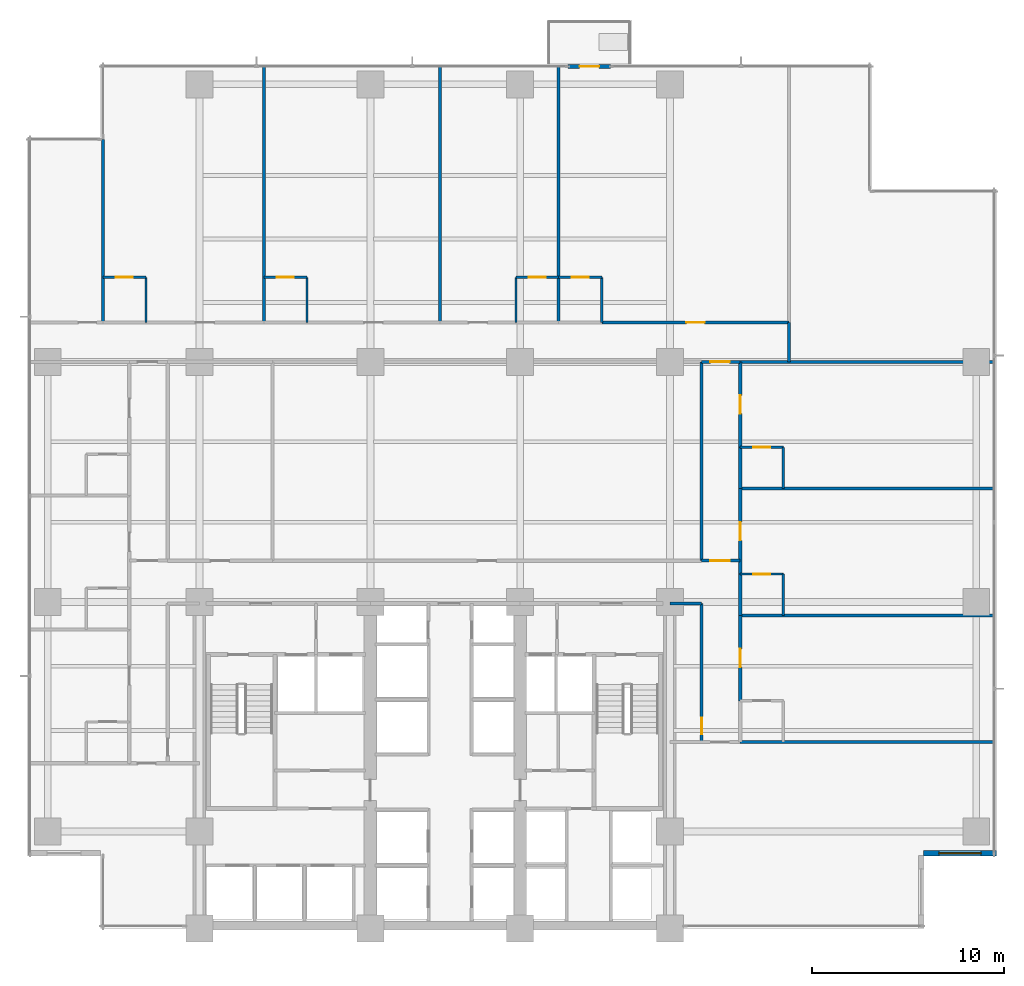
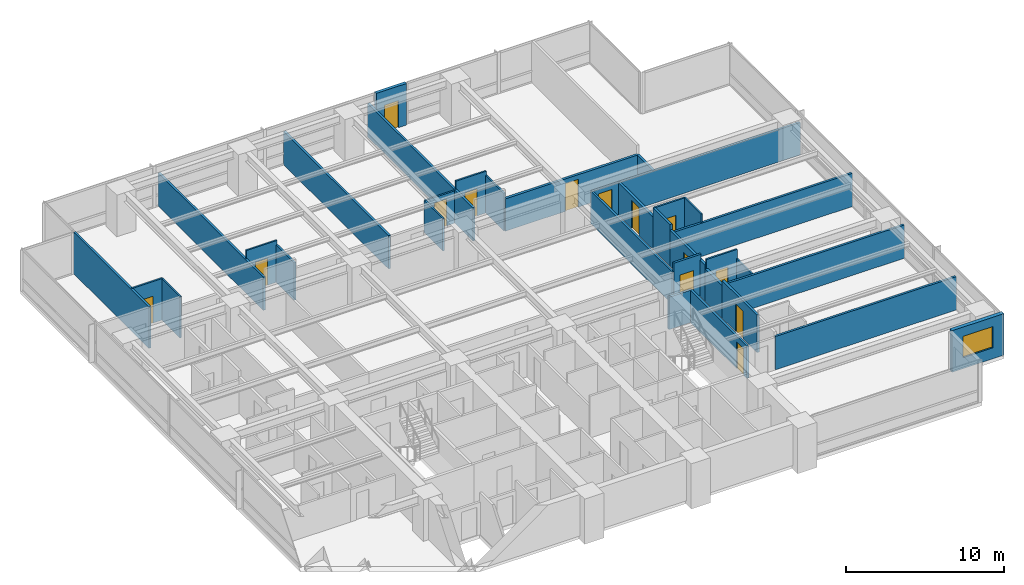
# One storey, part 10 of 16: 34 walls, 14 doors, 1 window, 15 openings.
"""IFC4 building model written with IfcOpenShell, lengths in metres."""

from ifc_helpers import new_model, si_unit, direction, frame, frame_2d, origin, place, context, subcontext, project, spatial, rectangle, extrude, material, layer, layer_set, type_object, element, fill, save


model = new_model("IFC4")

# Units and contexts
model_context = context("Model", 3, precision=1e-05, world=origin(), true_north=direction((0.0, 1.0)))
body_context = subcontext(model_context, "Body", "Model", "MODEL_VIEW")
ifc_project = project(units=[si_unit("LENGTHUNIT", "METRE"), si_unit("AREAUNIT", "SQUARE_METRE"), si_unit("VOLUMEUNIT", "CUBIC_METRE"), si_unit("PLANEANGLEUNIT", "RADIAN"), si_unit("MASSUNIT", "GRAM", prefix="KILO")], contexts=[model_context])

# Site, building, storey
site_placement = place(None, origin())
site = spatial("IfcSite", under=ifc_project, at=site_placement, CompositionType="ELEMENT")
building_placement = place(site_placement, origin())
building = spatial("IfcBuilding", under=site, at=building_placement, Name="Qalmaran Belvedere Hotel", CompositionType="ELEMENT")
storey_placement = place(building_placement, frame((0.0, 0.0, 64.89990234375)))
storey = spatial("IfcBuildingStorey", under=building, at=storey_placement, Name="L16", CompositionType="ELEMENT", Elevation=64.89990234375)

# Wall, opening, door
ifc_material_1 = material(Name="Anodised Bronze Cladding")
ifc_layer_1 = layer(ifc_material_1, 0.22509765625, Name="Anodised Bronze Cladding")
ifc_layer_set_1 = layer_set([ifc_layer_1], Name="Anodised Bronze Cladding")
wall_type_1 = type_object("IfcWallType", Name="WL-BAL-PORT-225", PredefinedType="SOLIDWALL", material=ifc_layer_set_1)
wall_1_placement = place(storey_placement, frame((39.5, 48.3798828125, 0.0), z_axis=(0.0, 0.0, 1.0), x_axis=(1.0, 0.0, 0.0)))
wall_1 = element("IfcWall", 1, at=wall_1_placement, inside=storey, type_object=wall_type_1, Name="L16 Tree Balcony Door Portal", PredefinedType="SOLIDWALL", context=body_context, shape_type="SweptSolid", body=[
    extrude(rectangle(XDim=2.199951171875, YDim=0.22509765625, at=frame_2d((1.10009765625, 0.0))), origin(), (0.0, 0.0, 1.0), 3.22021484375),
])
opening_1_placement = place(wall_1_placement, frame((0.590087890625, 0.0, 0.0)))
opening_1 = element("IfcOpeningElement", 2, at=opening_1_placement, cuts=wall_1, Name="Opening BL-102", PredefinedType="OPENING", context=body_context, shape_type="SweptSolid", body=[
    extrude(rectangle(XDim=1.02001953125, YDim=2.10009765625, at=frame_2d((0.510009765625, 1.050048828125))), frame((0.0, 0.12255859375, 0.0), z_axis=(0.0, -1.0, 0.0), x_axis=(1.0, 0.0, 0.0)), (0.0, 0.0, 1.0), 0.2451171875),
])
ifc_material_2 = material(Name="Anodised Bronze Aluminium", Category="aluminium")
door_type_1 = type_object("IfcDoorType", Name="DR-BAL-1020X2100", OperationType="NOTDEFINED", PredefinedType="DOOR", material=ifc_material_2)
door_1_placement = place(opening_1_placement, origin())
door_1 = element("IfcDoor", 3, at=door_1_placement, inside=storey, type_object=door_type_1, Name="L16 Planted Tree Balcony Door", OperationType="SINGLE_SWING_LEFT", OverallHeight=2.10009765625, OverallWidth=1.02001953125, PredefinedType="DOOR", context=body_context, shape_type="SweptSolid", body=[
    extrude(rectangle(XDim=1.02001953125, YDim=2.10009765625, at=frame_2d((0.510009765625, 1.050048828125))), frame((0.0, 0.02490234375, 0.0), z_axis=(0.0, -1.0, 0.0), x_axis=(1.0, 0.0, 0.0)), (0.0, 0.0, 1.0), 0.050048828125),
])
fill(opening_1, door_1)

# Wall, opening, window
ifc_layer_2 = layer(ifc_material_1, 0.280029296875, Name="Anodised Bronze Cladding")
ifc_layer_set_2 = layer_set([ifc_layer_2], Name="Anodised Bronze Cladding")
wall_type_2 = type_object("IfcWallType", Name="WL-EXT-BRNZ-280", PredefinedType="SOLIDWALL", material=ifc_layer_set_2)
wall_2_placement = place(storey_placement, frame((58.0, 7.419921875, 0.0), z_axis=(0.0, 0.0, 1.0), x_axis=(1.0, 0.0, 0.0)))
wall_2 = element("IfcWall", 4, at=wall_2_placement, inside=storey, type_object=wall_type_2, Name="L16 Corner Notch Wall 2", PredefinedType="SOLIDWALL", context=body_context, shape_type="SweptSolid", body=[
    extrude(rectangle(XDim=3.800048828125, YDim=0.280029296875, at=frame_2d((1.89990234375, 0.0))), origin(), (0.0, 0.0, 1.0), 3.22021484375),
])
opening_2_placement = place(wall_2_placement, frame((0.800048828125, 0.0, 0.85009765625)))
opening_2 = element("IfcOpeningElement", 5, at=opening_2_placement, cuts=wall_2, Name="Opening W-N22", PredefinedType="OPENING", context=body_context, shape_type="SweptSolid", body=[
    extrude(rectangle(XDim=2.199951171875, YDim=1.64990234375, at=frame_2d((1.10009765625, 0.824951171875))), frame((0.0, 0.14990234375, 0.0), z_axis=(0.0, -1.0, 0.0), x_axis=(1.0, 0.0, 0.0)), (0.0, 0.0, 1.0), 0.300048828125),
])
ifc_material_3 = material(Name="Solar-Control Double Glazing", Category="glass")
window_type = type_object("IfcWindowType", Name="WN-NTC-2200X1650", PartitioningType="SINGLE_PANEL", PredefinedType="WINDOW", material=ifc_material_3)
window_placement = place(opening_2_placement, origin())
window = element("IfcWindow", 6, at=window_placement, inside=storey, type_object=window_type, Name="L16 Corner Notch Window 2", OverallHeight=1.64990234375, OverallWidth=2.199951171875, PartitioningType="SINGLE_PANEL", PredefinedType="WINDOW", context=body_context, shape_type="SweptSolid", body=[
    extrude(rectangle(XDim=2.199951171875, YDim=1.64990234375, at=frame_2d((1.10009765625, 0.824951171875))), frame((0.0, 0.030029296875, 0.0), z_axis=(0.0, -1.0, 0.0), x_axis=(1.0, 0.0, 0.0)), (0.0, 0.0, 1.0), 0.06005859375),
])
fill(opening_2, window)

# Wall, opening, door
ifc_material_4 = material(Name="Moisture-Resistant Gypsum")
ifc_layer_3 = layer(ifc_material_4, 0.1201171875, Name="Moisture-Resistant Gypsum")
ifc_layer_set_3 = layer_set([ifc_layer_3], Name="Moisture-Resistant Gypsum")
wall_type_3 = type_object("IfcWallType", Name="WL-INT-120-BATH", PredefinedType="PARTITIONING", material=ifc_layer_set_3)
wall_3_placement = place(storey_placement, frame((15.27001953125, 37.39990234375, 0.0), z_axis=(0.0, 0.0, 1.0), x_axis=(1.0, 0.0, 0.0)))
wall_3 = element("IfcWall", 7, at=wall_3_placement, inside=storey, type_object=wall_type_3, Name="L16 Partition WL-L16-NBN00", PredefinedType="PARTITIONING", context=body_context, shape_type="SweptSolid", body=[
    extrude(rectangle(XDim=2.25, YDim=0.1201171875, at=frame_2d((1.125, 0.0))), origin(), (0.0, 0.0, 1.0), 3.22021484375),
])
opening_3_placement = place(wall_3_placement, frame((1.56494140625, 0.0, 0.0), z_axis=(0.0, 0.0, 1.0), x_axis=(-1.0, 0.0, 0.0)))
opening_3 = element("IfcOpeningElement", 8, at=opening_3_placement, cuts=wall_3, Name="Opening D-BATH", PredefinedType="OPENING", context=body_context, shape_type="SweptSolid", body=[
    extrude(rectangle(XDim=0.8798828125, YDim=2.080078125, at=frame_2d((0.43994140625, 1.0400390625))), frame((0.0, 0.070068359375, 0.0), z_axis=(0.0, -1.0, 0.0), x_axis=(1.0, 0.0, 0.0)), (0.0, 0.0, 1.0), 0.14013671875),
])
ifc_material_5 = material(Name="Engineered Oak Veneer")
door_type_2 = type_object("IfcDoorType", Name="DR-INT-BATH-880X2080", OperationType="NOTDEFINED", PredefinedType="DOOR", material=ifc_material_5)
door_2_placement = place(opening_3_placement, origin())
door_2 = element("IfcDoor", 9, at=door_2_placement, inside=storey, type_object=door_type_2, Name="L16 Ensuite Bathroom Door N01", OperationType="SINGLE_SWING_RIGHT", OverallHeight=2.080078125, OverallWidth=0.8798828125, PredefinedType="DOOR", context=body_context, shape_type="SweptSolid", body=[
    extrude(rectangle(XDim=0.8798828125, YDim=2.080078125, at=frame_2d((0.43994140625, 1.0400390625))), frame((0.0, 0.02490234375, 0.0), z_axis=(0.0, -1.0, 0.0), x_axis=(1.0, 0.0, 0.0)), (0.0, 0.0, 1.0), 0.050048828125),
])
fill(opening_3, door_2)

# Wall
wall_4_placement = place(storey_placement, frame((17.52001953125, 35.050048828125, 0.0), z_axis=(0.0, 0.0, 1.0), x_axis=(0.0, 1.0, 0.0)))
element("IfcWall", 10, at=wall_4_placement, inside=storey, type_object=wall_type_3, Name="L16 Partition WL-L16-NBS00", PredefinedType="PARTITIONING", context=body_context, shape_type="SweptSolid", body=[
    extrude(rectangle(XDim=2.349853515625, YDim=0.1201171875, at=frame_2d((1.1748046875, 0.0))), origin(), (0.0, 0.0, 1.0), 3.22021484375),
])

# Wall, opening, door
wall_5_placement = place(storey_placement, frame((23.651123046875, 37.39990234375, 0.0), z_axis=(0.0, 0.0, 1.0), x_axis=(1.0, 0.0, 0.0)))
wall_5 = element("IfcWall", 11, at=wall_5_placement, inside=storey, type_object=wall_type_3, Name="L16 Partition WL-L16-NBN01", PredefinedType="PARTITIONING", context=body_context, shape_type="SweptSolid", body=[
    extrude(rectangle(XDim=2.25, YDim=0.1201171875, at=frame_2d((1.125, 0.0))), origin(), (0.0, 0.0, 1.0), 3.22021484375),
])
opening_4_placement = place(wall_5_placement, frame((1.56494140625, 0.0, 0.0), z_axis=(0.0, 0.0, 1.0), x_axis=(-1.0, 0.0, 0.0)))
opening_4 = element("IfcOpeningElement", 12, at=opening_4_placement, cuts=wall_5, Name="Opening D-BATH", PredefinedType="OPENING", context=body_context, shape_type="SweptSolid", body=[
    extrude(rectangle(XDim=0.8798828125, YDim=2.080078125, at=frame_2d((0.43994140625, 1.0400390625))), frame((0.0, 0.070068359375, 0.0), z_axis=(0.0, -1.0, 0.0), x_axis=(1.0, 0.0, 0.0)), (0.0, 0.0, 1.0), 0.14013671875),
])
door_3_placement = place(opening_4_placement, origin())
door_3 = element("IfcDoor", 13, at=door_3_placement, inside=storey, type_object=door_type_2, Name="L16 Ensuite Bathroom Door N02", OperationType="SINGLE_SWING_RIGHT", OverallHeight=2.080078125, OverallWidth=0.8798828125, PredefinedType="DOOR", context=body_context, shape_type="SweptSolid", body=[
    extrude(rectangle(XDim=0.8798828125, YDim=2.080078125, at=frame_2d((0.43994140625, 1.0400390625))), frame((0.0, 0.02490234375, 0.0), z_axis=(0.0, -1.0, 0.0), x_axis=(1.0, 0.0, 0.0)), (0.0, 0.0, 1.0), 0.050048828125),
])
fill(opening_4, door_3)

# Wall
wall_6_placement = place(storey_placement, frame((25.901123046875, 35.050048828125, 0.0), z_axis=(0.0, 0.0, 1.0), x_axis=(0.0, 1.0, 0.0)))
element("IfcWall", 14, at=wall_6_placement, inside=storey, type_object=wall_type_3, Name="L16 Partition WL-L16-NBS01", PredefinedType="PARTITIONING", context=body_context, shape_type="SweptSolid", body=[
    extrude(rectangle(XDim=2.349853515625, YDim=0.1201171875, at=frame_2d((1.1748046875, 0.0))), origin(), (0.0, 0.0, 1.0), 2.902099609375),
])

# Wall, opening, door
wall_7_placement = place(storey_placement, frame((36.780029296875, 37.39990234375, 0.0), z_axis=(0.0, 0.0, 1.0), x_axis=(1.0, 0.0, 0.0)))
wall_7 = element("IfcWall", 15, at=wall_7_placement, inside=storey, type_object=wall_type_3, Name="L16 Partition WL-L16-NBN02", PredefinedType="PARTITIONING", context=body_context, shape_type="SweptSolid", body=[
    extrude(rectangle(XDim=2.219970703125, YDim=0.1201171875, at=frame_2d((1.10986328125, 0.0))), origin(), (0.0, 0.0, 1.0), 2.510009765625),
])
opening_5_placement = place(wall_7_placement, frame((1.5498046875, 0.0, 0.0), z_axis=(0.0, 0.0, 1.0), x_axis=(-1.0, 0.0, 0.0)))
opening_5 = element("IfcOpeningElement", 16, at=opening_5_placement, cuts=wall_7, Name="Opening D-BATH", PredefinedType="OPENING", context=body_context, shape_type="SweptSolid", body=[
    extrude(rectangle(XDim=0.8798828125, YDim=2.080078125, at=frame_2d((0.43994140625, 1.0400390625))), frame((0.0, 0.070068359375, 0.0), z_axis=(0.0, -1.0, 0.0), x_axis=(1.0, 0.0, 0.0)), (0.0, 0.0, 1.0), 0.14013671875),
])
door_4_placement = place(opening_5_placement, origin())
door_4 = element("IfcDoor", 17, at=door_4_placement, inside=storey, type_object=door_type_2, Name="L16 Ensuite Bathroom Door N03", OperationType="SINGLE_SWING_RIGHT", OverallHeight=2.080078125, OverallWidth=0.8798828125, PredefinedType="DOOR", context=body_context, shape_type="SweptSolid", body=[
    extrude(rectangle(XDim=0.8798828125, YDim=2.080078125, at=frame_2d((0.43994140625, 1.0400390625))), frame((0.0, 0.02490234375, 0.0), z_axis=(0.0, -1.0, 0.0), x_axis=(1.0, 0.0, 0.0)), (0.0, 0.0, 1.0), 0.050048828125),
])
fill(opening_5, door_4)

# Wall
wall_8_placement = place(storey_placement, frame((36.780029296875, 35.050048828125, 0.0), z_axis=(0.0, 0.0, 1.0), x_axis=(0.0, 1.0, 0.0)))
element("IfcWall", 18, at=wall_8_placement, inside=storey, type_object=wall_type_3, Name="L16 Partition WL-L16-NBS02", PredefinedType="PARTITIONING", context=body_context, shape_type="SweptSolid", body=[
    extrude(rectangle(XDim=2.349853515625, YDim=0.1201171875, at=frame_2d((1.1748046875, 0.0))), origin(), (0.0, 0.0, 1.0), 2.510009765625),
])

# Wall, opening, door
wall_9_placement = place(storey_placement, frame((39.0, 37.39990234375, 0.0), z_axis=(0.0, 0.0, 1.0), x_axis=(1.0, 0.0, 0.0)))
wall_9 = element("IfcWall", 19, at=wall_9_placement, inside=storey, type_object=wall_type_3, Name="L16 Partition WL-L16-NBN03", PredefinedType="PARTITIONING", context=body_context, shape_type="SweptSolid", body=[
    extrude(rectangle(XDim=2.25, YDim=0.1201171875, at=frame_2d((1.125, 0.0))), origin(), (0.0, 0.0, 1.0), 3.22021484375),
])
opening_6_placement = place(wall_9_placement, frame((1.56494140625, 0.0, 0.0), z_axis=(0.0, 0.0, 1.0), x_axis=(-1.0, 0.0, 0.0)))
opening_6 = element("IfcOpeningElement", 20, at=opening_6_placement, cuts=wall_9, Name="Opening D-BATH", PredefinedType="OPENING", context=body_context, shape_type="SweptSolid", body=[
    extrude(rectangle(XDim=0.8798828125, YDim=2.080078125, at=frame_2d((0.43994140625, 1.0400390625))), frame((0.0, 0.070068359375, 0.0), z_axis=(0.0, -1.0, 0.0), x_axis=(1.0, 0.0, 0.0)), (0.0, 0.0, 1.0), 0.14013671875),
])
door_5_placement = place(opening_6_placement, origin())
door_5 = element("IfcDoor", 21, at=door_5_placement, inside=storey, type_object=door_type_2, Name="L16 Ensuite Bathroom Door N04", OperationType="SINGLE_SWING_RIGHT", OverallHeight=2.080078125, OverallWidth=0.8798828125, PredefinedType="DOOR", context=body_context, shape_type="SweptSolid", body=[
    extrude(rectangle(XDim=0.8798828125, YDim=2.080078125, at=frame_2d((0.43994140625, 1.0400390625))), frame((0.0, 0.02490234375, 0.0), z_axis=(0.0, -1.0, 0.0), x_axis=(1.0, 0.0, 0.0)), (0.0, 0.0, 1.0), 0.050048828125),
])
fill(opening_6, door_5)

# Wall
wall_10_placement = place(storey_placement, frame((41.25, 35.050048828125, 0.0), z_axis=(0.0, 0.0, 1.0), x_axis=(0.0, 1.0, 0.0)))
element("IfcWall", 22, at=wall_10_placement, inside=storey, type_object=wall_type_3, Name="L16 Partition WL-L16-NBS03", PredefinedType="PARTITIONING", context=body_context, shape_type="SweptSolid", body=[
    extrude(rectangle(XDim=2.349853515625, YDim=0.1201171875, at=frame_2d((1.1748046875, 0.0))), origin(), (0.0, 0.0, 1.0), 2.902099609375),
])

# Wall, opening, door
wall_11_placement = place(storey_placement, frame((48.449951171875, 21.949951171875, 0.0), z_axis=(0.0, 0.0, 1.0), x_axis=(1.0, 0.0, 0.0)))
wall_11 = element("IfcWall", 23, at=wall_11_placement, inside=storey, type_object=wall_type_3, Name="L16 Partition WL-L16-EBN01", PredefinedType="PARTITIONING", context=body_context, shape_type="SweptSolid", body=[
    extrude(rectangle(XDim=2.25, YDim=0.1201171875, at=frame_2d((1.125, 0.0))), origin(), (0.0, 0.0, 1.0), 3.22021484375),
])
opening_7_placement = place(wall_11_placement, frame((1.56494140625, 0.0, 0.0), z_axis=(0.0, 0.0, 1.0), x_axis=(-1.0, 0.0, 0.0)))
opening_7 = element("IfcOpeningElement", 24, at=opening_7_placement, cuts=wall_11, Name="Opening D-BATH", PredefinedType="OPENING", context=body_context, shape_type="SweptSolid", body=[
    extrude(rectangle(XDim=0.8798828125, YDim=2.080078125, at=frame_2d((0.43994140625, 1.0400390625))), frame((0.0, 0.070068359375, 0.0), z_axis=(0.0, -1.0, 0.0), x_axis=(1.0, 0.0, 0.0)), (0.0, 0.0, 1.0), 0.14013671875),
])
door_6_placement = place(opening_7_placement, origin())
door_6 = element("IfcDoor", 25, at=door_6_placement, inside=storey, type_object=door_type_2, Name="L16 E Ensuite Door 02", OperationType="SINGLE_SWING_RIGHT", OverallHeight=2.080078125, OverallWidth=0.8798828125, PredefinedType="DOOR", context=body_context, shape_type="SweptSolid", body=[
    extrude(rectangle(XDim=0.8798828125, YDim=2.080078125, at=frame_2d((0.43994140625, 1.0400390625))), frame((0.0, 0.02490234375, 0.0), z_axis=(0.0, -1.0, 0.0), x_axis=(1.0, 0.0, 0.0)), (0.0, 0.0, 1.0), 0.050048828125),
])
fill(opening_7, door_6)

# Wall
wall_12_placement = place(storey_placement, frame((50.699951171875, 19.800048828125, 0.0), z_axis=(0.0, 0.0, 1.0), x_axis=(0.0, 1.0, 0.0)))
element("IfcWall", 26, at=wall_12_placement, inside=storey, type_object=wall_type_3, Name="L16 Partition WL-L16-EBS01", PredefinedType="PARTITIONING", context=body_context, shape_type="SweptSolid", body=[
    extrude(rectangle(XDim=2.14990234375, YDim=0.1201171875, at=frame_2d((1.074951171875, 0.0))), origin(), (0.0, 0.0, 1.0), 2.510009765625),
])

# Wall, opening, door
wall_13_placement = place(storey_placement, frame((48.449951171875, 28.550048828125, 0.0), z_axis=(0.0, 0.0, 1.0), x_axis=(1.0, 0.0, 0.0)))
wall_13 = element("IfcWall", 27, at=wall_13_placement, inside=storey, type_object=wall_type_3, Name="L16 Partition WL-L16-EBN02", PredefinedType="PARTITIONING", context=body_context, shape_type="SweptSolid", body=[
    extrude(rectangle(XDim=2.25, YDim=0.1201171875, at=frame_2d((1.125, 0.0))), origin(), (0.0, 0.0, 1.0), 3.22021484375),
])
opening_8_placement = place(wall_13_placement, frame((1.56494140625, 0.0, 0.0), z_axis=(0.0, 0.0, 1.0), x_axis=(-1.0, 0.0, 0.0)))
opening_8 = element("IfcOpeningElement", 28, at=opening_8_placement, cuts=wall_13, Name="Opening D-BATH", PredefinedType="OPENING", context=body_context, shape_type="SweptSolid", body=[
    extrude(rectangle(XDim=0.8798828125, YDim=2.080078125, at=frame_2d((0.43994140625, 1.0400390625))), frame((0.0, 0.070068359375, 0.0), z_axis=(0.0, -1.0, 0.0), x_axis=(1.0, 0.0, 0.0)), (0.0, 0.0, 1.0), 0.14013671875),
])
door_7_placement = place(opening_8_placement, origin())
door_7 = element("IfcDoor", 29, at=door_7_placement, inside=storey, type_object=door_type_2, Name="L16 E Ensuite Door 03", OperationType="SINGLE_SWING_RIGHT", OverallHeight=2.080078125, OverallWidth=0.8798828125, PredefinedType="DOOR", context=body_context, shape_type="SweptSolid", body=[
    extrude(rectangle(XDim=0.8798828125, YDim=2.080078125, at=frame_2d((0.43994140625, 1.0400390625))), frame((0.0, 0.02490234375, 0.0), z_axis=(0.0, -1.0, 0.0), x_axis=(1.0, 0.0, 0.0)), (0.0, 0.0, 1.0), 0.050048828125),
])
fill(opening_8, door_7)

# Wall
wall_14_placement = place(storey_placement, frame((50.699951171875, 26.39990234375, 0.0), z_axis=(0.0, 0.0, 1.0), x_axis=(0.0, 1.0, 0.0)))
element("IfcWall", 30, at=wall_14_placement, inside=storey, type_object=wall_type_3, Name="L16 Partition WL-L16-EBS02", PredefinedType="PARTITIONING", context=body_context, shape_type="SweptSolid", body=[
    extrude(rectangle(XDim=2.150146484375, YDim=0.1201171875, at=frame_2d((1.0751953125, 0.0))), origin(), (0.0, 0.0, 1.0), 3.22021484375),
])

# Wall, opening, door
ifc_material_6 = material(Name="Gypsum Stud Partition")
ifc_layer_4 = layer(ifc_material_6, 0.14990234375, Name="Gypsum Stud Partition")
ifc_layer_set_4 = layer_set([ifc_layer_4], Name="Gypsum Stud Partition")
wall_type_4 = type_object("IfcWallType", Name="WL-INT-150-EI60", PredefinedType="PARTITIONING", material=ifc_layer_set_4)
wall_15_placement = place(storey_placement, frame((46.449951171875, 22.64990234375, 0.0), z_axis=(0.0, 0.0, 1.0), x_axis=(1.0, 0.0, 0.0)))
wall_15 = element("IfcWall", 31, at=wall_15_placement, inside=storey, type_object=wall_type_4, Name="L16 Partition WL-L16-XCE1", PredefinedType="PARTITIONING", context=body_context, shape_type="SweptSolid", body=[
    extrude(rectangle(XDim=2.0, YDim=0.14990234375, at=frame_2d((1.0, 0.0))), origin(), (0.0, 0.0, 1.0), 3.22021484375),
])
opening_9_placement = place(wall_15_placement, frame((0.449951171875, 0.0, 0.0)))
opening_9 = element("IfcOpeningElement", 32, at=opening_9_placement, cuts=wall_15, Name="Opening FD90B", PredefinedType="OPENING", context=body_context, shape_type="SweptSolid", body=[
    extrude(rectangle(XDim=1.0, YDim=2.14990234375, at=frame_2d((0.5, 1.074951171875))), frame((0.0, 0.0849609375, 0.0), z_axis=(0.0, -1.0, 0.0), x_axis=(1.0, 0.0, 0.0)), (0.0, 0.0, 1.0), 0.169921875),
])
ifc_material_7 = material(Name="Steel S355JR", Category="steel")
door_type_3 = type_object("IfcDoorType", Name="DR-FD90B-1000X2150", OperationType="NOTDEFINED", PredefinedType="DOOR", material=ifc_material_7)
door_8_placement = place(opening_9_placement, origin())
door_8 = element("IfcDoor", 33, at=door_8_placement, inside=storey, type_object=door_type_3, Name="L16 East Corridor Smoke Door S", OperationType="SINGLE_SWING_RIGHT", OverallHeight=2.14990234375, OverallWidth=1.0, PredefinedType="DOOR", context=body_context, shape_type="SweptSolid", body=[
    extrude(rectangle(XDim=1.0, YDim=2.14990234375, at=frame_2d((0.5, 1.074951171875))), frame((0.0, 0.02490234375, 0.0), z_axis=(0.0, -1.0, 0.0), x_axis=(1.0, 0.0, 0.0)), (0.0, 0.0, 1.0), 0.050048828125),
])
fill(opening_9, door_8)

wall_16_placement = place(storey_placement, frame((46.449951171875, 33.0, 0.0), z_axis=(0.0, 0.0, 1.0), x_axis=(1.0, 0.0, 0.0)))
wall_16 = element("IfcWall", 34, at=wall_16_placement, inside=storey, type_object=wall_type_4, Name="L16 Partition WL-L16-XCE2", PredefinedType="PARTITIONING", context=body_context, shape_type="SweptSolid", body=[
    extrude(rectangle(XDim=2.0, YDim=0.14990234375, at=frame_2d((1.0, 0.0))), origin(), (0.0, 0.0, 1.0), 2.510009765625),
])
opening_10_placement = place(wall_16_placement, frame((0.449951171875, 0.0, 0.0)))
opening_10 = element("IfcOpeningElement", 35, at=opening_10_placement, cuts=wall_16, Name="Opening FD90B", PredefinedType="OPENING", context=body_context, shape_type="SweptSolid", body=[
    extrude(rectangle(XDim=1.0, YDim=2.14990234375, at=frame_2d((0.5, 1.074951171875))), frame((0.0, 0.0849609375, 0.0), z_axis=(0.0, -1.0, 0.0), x_axis=(1.0, 0.0, 0.0)), (0.0, 0.0, 1.0), 0.169921875),
])
door_9_placement = place(opening_10_placement, origin())
door_9 = element("IfcDoor", 36, at=door_9_placement, inside=storey, type_object=door_type_3, Name="L16 East Corridor Smoke Door N", OperationType="SINGLE_SWING_LEFT", OverallHeight=2.14990234375, OverallWidth=1.0, PredefinedType="DOOR", context=body_context, shape_type="SweptSolid", body=[
    extrude(rectangle(XDim=1.0, YDim=2.14990234375, at=frame_2d((0.5, 1.074951171875))), frame((0.0, 0.02490234375, 0.0), z_axis=(0.0, -1.0, 0.0), x_axis=(1.0, 0.0, 0.0)), (0.0, 0.0, 1.0), 0.050048828125),
])
fill(opening_10, door_9)

ifc_layer_5 = layer(ifc_material_6, 0.159912109375, Name="Gypsum Stud Partition")
ifc_layer_set_5 = layer_set([ifc_layer_5], Name="Gypsum Stud Partition")
wall_type_5 = type_object("IfcWallType", Name="WL-INT-160-EI60", PredefinedType="PARTITIONING", material=ifc_layer_set_5)
wall_17_placement = place(storey_placement, frame((46.449951171875, 13.199951171875, 0.0), z_axis=(0.0, 0.0, 1.0), x_axis=(0.0, 1.0, 0.0)))
wall_17 = element("IfcWall", 37, at=wall_17_placement, inside=storey, type_object=wall_type_5, Name="L16 Partition WL-L16-ECL", PredefinedType="PARTITIONING", context=body_context, shape_type="SweptSolid", body=[
    extrude(rectangle(XDim=7.219970703125, YDim=0.159912109375, at=frame_2d((3.60986328125, 0.0))), origin(), (0.0, 0.0, 1.0), 2.510009765625),
])
opening_11_placement = place(wall_17_placement, frame((0.39990234375, 0.0, 0.0)))
opening_11 = element("IfcOpeningElement", 38, at=opening_11_placement, cuts=wall_17, Name="Opening FD60B", PredefinedType="OPENING", context=body_context, shape_type="SweptSolid", body=[
    extrude(rectangle(XDim=0.8798828125, YDim=2.080078125, at=frame_2d((0.43994140625, 1.0400390625))), frame((0.0, 0.08984375, 0.0), z_axis=(0.0, -1.0, 0.0), x_axis=(1.0, 0.0, 0.0)), (0.0, 0.0, 1.0), 0.179931640625),
])
door_type_4 = type_object("IfcDoorType", Name="DR-FD60B-880X2080", OperationType="NOTDEFINED", PredefinedType="DOOR", material=ifc_material_7)
door_10_placement = place(opening_11_placement, origin())
door_10 = element("IfcDoor", 39, at=door_10_placement, inside=storey, type_object=door_type_4, Name="L16 East Closet Door", OperationType="SINGLE_SWING_LEFT", OverallHeight=2.080078125, OverallWidth=0.8798828125, PredefinedType="DOOR", context=body_context, shape_type="SweptSolid", body=[
    extrude(rectangle(XDim=0.8798828125, YDim=2.080078125, at=frame_2d((0.43994140625, 1.0400390625))), frame((0.0, 0.02490234375, 0.0), z_axis=(0.0, -1.0, 0.0), x_axis=(1.0, 0.0, 0.0)), (0.0, 0.0, 1.0), 0.050048828125),
])
fill(opening_11, door_10)

# Walls
wall_18_placement = place(storey_placement, frame((44.800048828125, 20.419921875, 0.0), z_axis=(0.0, 0.0, 1.0), x_axis=(1.0, 0.0, 0.0)))
element("IfcWall", 40, at=wall_18_placement, inside=storey, type_object=wall_type_5, Name="L16 Partition WL-L16-ECLN", PredefinedType="PARTITIONING", context=body_context, shape_type="SweptSolid", body=[
    extrude(rectangle(XDim=1.64990234375, YDim=0.159912109375, at=frame_2d((0.824951171875, 0.0))), origin(), (0.0, 0.0, 1.0), 2.510009765625),
])
wall_19_placement = place(storey_placement, frame((51.0, 33.0, 0.0), z_axis=(0.0, 0.0, 1.0), x_axis=(0.0, 1.0, 0.0)))
element("IfcWall", 41, at=wall_19_placement, inside=storey, type_object=wall_type_5, Name="L16 Partition WL-L16-NCGE", PredefinedType="PARTITIONING", context=body_context, shape_type="SweptSolid", body=[
    extrude(rectangle(XDim=2.050048828125, YDim=0.159912109375, at=frame_2d((1.02490234375, 0.0))), origin(), (0.0, 0.0, 1.0), 2.510009765625),
])
wall_20_placement = place(storey_placement, frame((46.449951171875, 22.64990234375, 0.0), z_axis=(0.0, 0.0, 1.0), x_axis=(0.0, 1.0, 0.0)))
element("IfcWall", 42, at=wall_20_placement, inside=storey, type_object=wall_type_5, Name="L16 Partition WL-L16-MIDVR2", PredefinedType="PARTITIONING", context=body_context, shape_type="SweptSolid", body=[
    extrude(rectangle(XDim=10.35009765625, YDim=0.159912109375, at=frame_2d((5.175048828125, 0.0))), origin(), (0.0, 0.0, 1.0), 2.510009765625),
])
wall_21_placement = place(storey_placement, frame((15.27001953125, 35.050048828125, 0.0), z_axis=(0.0, 0.0, 1.0), x_axis=(0.0, 1.0, 0.0)))
element("IfcWall", 43, at=wall_21_placement, inside=storey, type_object=wall_type_5, Name="L16 Partition WL-L16-NUL", PredefinedType="PARTITIONING", context=body_context, shape_type="SweptSolid", body=[
    extrude(rectangle(XDim=9.530029296875, YDim=0.159912109375, at=frame_2d((4.76513671875, 0.0))), origin(), (0.0, 0.0, 1.0), 3.22021484375),
])
for number, where, z_axis, x_axis, name in (
    (44, (23.651123046875, 35.050048828125, 0.0), (0.0, 0.0, 1.0), (0.0, 1.0, 0.0), "L16 Partition WL-L16-NUR00"),
    (45, (32.830322265625, 35.050048828125, 0.0), (0.0, 0.0, 1.0), (0.0, 1.0, 0.0), "L16 Partition WL-L16-NUR01"),
    (46, (39.0, 35.050048828125, 0.0), (0.0, 0.0, 1.0), (0.0, 1.0, 0.0), "L16 Partition WL-L16-NUR02"),
):
    element("IfcWall", number, at=place(storey_placement, frame(where, z_axis=z_axis, x_axis=x_axis)), inside=storey, type_object=wall_type_5, Name=name, PredefinedType="PARTITIONING", context=body_context, shape_type="SweptSolid", body=[
        extrude(rectangle(XDim=13.329833984375, YDim=0.159912109375, at=frame_2d((6.6650390625, 0.0))), origin(), (0.0, 0.0, 1.0), 2.5830078125),
    ])
for number, where, z_axis, x_axis, name in (
    (47, (48.449951171875, 13.199951171875, 0.0), (0.0, 0.0, 1.0), (1.0, 0.0, 0.0), "L16 Partition WL-L16-EBOT"),
    (48, (48.449951171875, 19.800048828125, 0.0), (0.0, 0.0, 1.0), (1.0, 0.0, 0.0), "L16 Partition WL-L16-EU00"),
    (49, (48.449951171875, 26.39990234375, 0.0), (0.0, 0.0, 1.0), (1.0, 0.0, 0.0), "L16 Partition WL-L16-EU01"),
):
    element("IfcWall", number, at=place(storey_placement, frame(where, z_axis=z_axis, x_axis=x_axis)), inside=storey, type_object=wall_type_5, Name=name, PredefinedType="PARTITIONING", context=body_context, shape_type="SweptSolid", body=[
        extrude(rectangle(XDim=13.22998046875, YDim=0.159912109375, at=frame_2d((6.614990234375, 0.0))), origin(), (0.0, 0.0, 1.0), 2.5830078125),
    ])
wall_22_placement = place(storey_placement, frame((48.449951171875, 33.0, 0.0), z_axis=(0.0, 0.0, 1.0), x_axis=(1.0, 0.0, 0.0)))
element("IfcWall", 50, at=wall_22_placement, inside=storey, type_object=wall_type_5, Name="L16 Partition WL-L16-EU02", PredefinedType="PARTITIONING", context=body_context, shape_type="SweptSolid", body=[
    extrude(rectangle(XDim=13.22998046875, YDim=0.159912109375, at=frame_2d((6.614990234375, 0.0))), origin(), (0.0, 0.0, 1.0), 2.510009765625),
])

# Wall, opening, door
ifc_layer_6 = layer(ifc_material_6, 0.179931640625, Name="Gypsum Stud Partition")
ifc_layer_set_6 = layer_set([ifc_layer_6], Name="Gypsum Stud Partition")
wall_type_6 = type_object("IfcWallType", Name="WL-INT-180-EI60", PredefinedType="PARTITIONING", material=ifc_layer_set_6)
wall_23_placement = place(storey_placement, frame((41.25, 35.050048828125, 0.0), z_axis=(0.0, 0.0, 1.0), x_axis=(1.0, 0.0, 0.0)))
wall_23 = element("IfcWall", 51, at=wall_23_placement, inside=storey, type_object=wall_type_6, Name="L16 Partition WL-L16-NEC03", PredefinedType="PARTITIONING", context=body_context, shape_type="SweptSolid", body=[
    extrude(rectangle(XDim=9.75, YDim=0.179931640625, at=frame_2d((4.875, 0.0))), origin(), (0.0, 0.0, 1.0), 2.510009765625),
])
opening_12_placement = place(wall_23_placement, frame((4.39990234375, 0.0, 0.0)))
opening_12 = element("IfcOpeningElement", 52, at=opening_12_placement, cuts=wall_23, Name="Opening FD60", PredefinedType="OPENING", context=body_context, shape_type="SweptSolid", body=[
    extrude(rectangle(XDim=0.949951171875, YDim=2.14990234375, at=frame_2d((0.47509765625, 1.074951171875))), frame((0.0, 0.10009765625, 0.0), z_axis=(0.0, -1.0, 0.0), x_axis=(1.0, 0.0, 0.0)), (0.0, 0.0, 1.0), 0.199951171875),
])
door_type_5 = type_object("IfcDoorType", Name="DR-FD60-950X2150", OperationType="NOTDEFINED", PredefinedType="DOOR", material=ifc_material_5)
door_11_placement = place(opening_12_placement, origin())
door_11 = element("IfcDoor", 53, at=door_11_placement, inside=storey, type_object=door_type_5, Name="L16 Guest Entrance Door N04", OperationType="SINGLE_SWING_LEFT", OverallHeight=2.14990234375, OverallWidth=0.949951171875, PredefinedType="DOOR", context=body_context, shape_type="SweptSolid", body=[
    extrude(rectangle(XDim=0.949951171875, YDim=2.14990234375, at=frame_2d((0.47509765625, 1.074951171875))), frame((0.0, 0.02490234375, 0.0), z_axis=(0.0, -1.0, 0.0), x_axis=(1.0, 0.0, 0.0)), (0.0, 0.0, 1.0), 0.050048828125),
])
fill(opening_12, door_11)

wall_24_placement = place(storey_placement, frame((48.449951171875, 15.35009765625, 0.0), z_axis=(0.0, 0.0, 1.0), x_axis=(0.0, 1.0, 0.0)))
wall_24 = element("IfcWall", 54, at=wall_24_placement, inside=storey, type_object=wall_type_6, Name="L16 Partition WL-L16-EEC00", PredefinedType="PARTITIONING", context=body_context, shape_type="SweptSolid", body=[
    extrude(rectangle(XDim=4.449951171875, YDim=0.179931640625, at=frame_2d((2.22509765625, 0.0))), origin(), (0.0, 0.0, 1.0), 2.902099609375),
])
opening_13_placement = place(wall_24_placement, frame((2.699951171875, 0.0, 0.0), z_axis=(0.0, 0.0, 1.0), x_axis=(-1.0, 0.0, 0.0)))
opening_13 = element("IfcOpeningElement", 55, at=opening_13_placement, cuts=wall_24, Name="Opening FD60", PredefinedType="OPENING", context=body_context, shape_type="SweptSolid", body=[
    extrude(rectangle(XDim=0.949951171875, YDim=2.14990234375, at=frame_2d((0.47509765625, 1.074951171875))), frame((0.0, 0.10009765625, 0.0), z_axis=(0.0, -1.0, 0.0), x_axis=(1.0, 0.0, 0.0)), (0.0, 0.0, 1.0), 0.199951171875),
])
door_12_placement = place(opening_13_placement, origin())
door_12 = element("IfcDoor", 56, at=door_12_placement, inside=storey, type_object=door_type_5, Name="L16 E Wing Door 01", OperationType="SINGLE_SWING_LEFT", OverallHeight=2.14990234375, OverallWidth=0.949951171875, PredefinedType="DOOR", context=body_context, shape_type="SweptSolid", body=[
    extrude(rectangle(XDim=0.949951171875, YDim=2.14990234375, at=frame_2d((0.47509765625, 1.074951171875))), frame((0.0, 0.02490234375, 0.0), z_axis=(0.0, -1.0, 0.0), x_axis=(1.0, 0.0, 0.0)), (0.0, 0.0, 1.0), 0.050048828125),
])
fill(opening_13, door_12)

# Wall
wall_25_placement = place(storey_placement, frame((48.449951171875, 19.800048828125, 0.0), z_axis=(0.0, 0.0, 1.0), x_axis=(0.0, 1.0, 0.0)))
element("IfcWall", 57, at=wall_25_placement, inside=storey, type_object=wall_type_6, Name="L16 Partition WL-L16-EBC01", PredefinedType="PARTITIONING", context=body_context, shape_type="SweptSolid", body=[
    extrude(rectangle(XDim=2.14990234375, YDim=0.179931640625, at=frame_2d((1.074951171875, 0.0))), origin(), (0.0, 0.0, 1.0), 2.510009765625),
])

# Wall, opening, door
wall_26_placement = place(storey_placement, frame((48.449951171875, 21.949951171875, 0.0), z_axis=(0.0, 0.0, 1.0), x_axis=(0.0, 1.0, 0.0)))
wall_26 = element("IfcWall", 58, at=wall_26_placement, inside=storey, type_object=wall_type_6, Name="L16 Partition WL-L16-EEC01", PredefinedType="PARTITIONING", context=body_context, shape_type="SweptSolid", body=[
    extrude(rectangle(XDim=4.449951171875, YDim=0.179931640625, at=frame_2d((2.22509765625, 0.0))), origin(), (0.0, 0.0, 1.0), 2.7880859375),
])
opening_14_placement = place(wall_26_placement, frame((2.699951171875, 0.0, 0.0), z_axis=(0.0, 0.0, 1.0), x_axis=(-1.0, 0.0, 0.0)))
opening_14 = element("IfcOpeningElement", 59, at=opening_14_placement, cuts=wall_26, Name="Opening FD60", PredefinedType="OPENING", context=body_context, shape_type="SweptSolid", body=[
    extrude(rectangle(XDim=0.949951171875, YDim=2.14990234375, at=frame_2d((0.47509765625, 1.074951171875))), frame((0.0, 0.10009765625, 0.0), z_axis=(0.0, -1.0, 0.0), x_axis=(1.0, 0.0, 0.0)), (0.0, 0.0, 1.0), 0.199951171875),
])
door_13_placement = place(opening_14_placement, origin())
door_13 = element("IfcDoor", 60, at=door_13_placement, inside=storey, type_object=door_type_5, Name="L16 E Wing Door 02", OperationType="SINGLE_SWING_LEFT", OverallHeight=2.14990234375, OverallWidth=0.949951171875, PredefinedType="DOOR", context=body_context, shape_type="SweptSolid", body=[
    extrude(rectangle(XDim=0.949951171875, YDim=2.14990234375, at=frame_2d((0.47509765625, 1.074951171875))), frame((0.0, 0.02490234375, 0.0), z_axis=(0.0, -1.0, 0.0), x_axis=(1.0, 0.0, 0.0)), (0.0, 0.0, 1.0), 0.050048828125),
])
fill(opening_14, door_13)

# Wall
wall_27_placement = place(storey_placement, frame((48.449951171875, 26.39990234375, 0.0), z_axis=(0.0, 0.0, 1.0), x_axis=(0.0, 1.0, 0.0)))
element("IfcWall", 61, at=wall_27_placement, inside=storey, type_object=wall_type_6, Name="L16 Partition WL-L16-EBC02", PredefinedType="PARTITIONING", context=body_context, shape_type="SweptSolid", body=[
    extrude(rectangle(XDim=2.150146484375, YDim=0.179931640625, at=frame_2d((1.0751953125, 0.0))), origin(), (0.0, 0.0, 1.0), 3.22021484375),
])

# Wall, opening, door
wall_28_placement = place(storey_placement, frame((48.449951171875, 28.550048828125, 0.0), z_axis=(0.0, 0.0, 1.0), x_axis=(0.0, 1.0, 0.0)))
wall_28 = element("IfcWall", 62, at=wall_28_placement, inside=storey, type_object=wall_type_6, Name="L16 Partition WL-L16-EEC02", PredefinedType="PARTITIONING", context=body_context, shape_type="SweptSolid", body=[
    extrude(rectangle(XDim=4.449951171875, YDim=0.179931640625, at=frame_2d((2.22509765625, 0.0))), origin(), (0.0, 0.0, 1.0), 2.510009765625),
])
opening_15_placement = place(wall_28_placement, frame((2.699951171875, 0.0, 0.0), z_axis=(0.0, 0.0, 1.0), x_axis=(-1.0, 0.0, 0.0)))
opening_15 = element("IfcOpeningElement", 63, at=opening_15_placement, cuts=wall_28, Name="Opening FD60", PredefinedType="OPENING", context=body_context, shape_type="SweptSolid", body=[
    extrude(rectangle(XDim=0.949951171875, YDim=2.14990234375, at=frame_2d((0.47509765625, 1.074951171875))), frame((0.0, 0.10009765625, 0.0), z_axis=(0.0, -1.0, 0.0), x_axis=(1.0, 0.0, 0.0)), (0.0, 0.0, 1.0), 0.199951171875),
])
door_14_placement = place(opening_15_placement, origin())
door_14 = element("IfcDoor", 64, at=door_14_placement, inside=storey, type_object=door_type_5, Name="L16 E Wing Door 03", OperationType="SINGLE_SWING_LEFT", OverallHeight=2.14990234375, OverallWidth=0.949951171875, PredefinedType="DOOR", context=body_context, shape_type="SweptSolid", body=[
    extrude(rectangle(XDim=0.949951171875, YDim=2.14990234375, at=frame_2d((0.47509765625, 1.074951171875))), frame((0.0, 0.02490234375, 0.0), z_axis=(0.0, -1.0, 0.0), x_axis=(1.0, 0.0, 0.0)), (0.0, 0.0, 1.0), 0.050048828125),
])
fill(opening_15, door_14)

save(model, "model.ifc")
